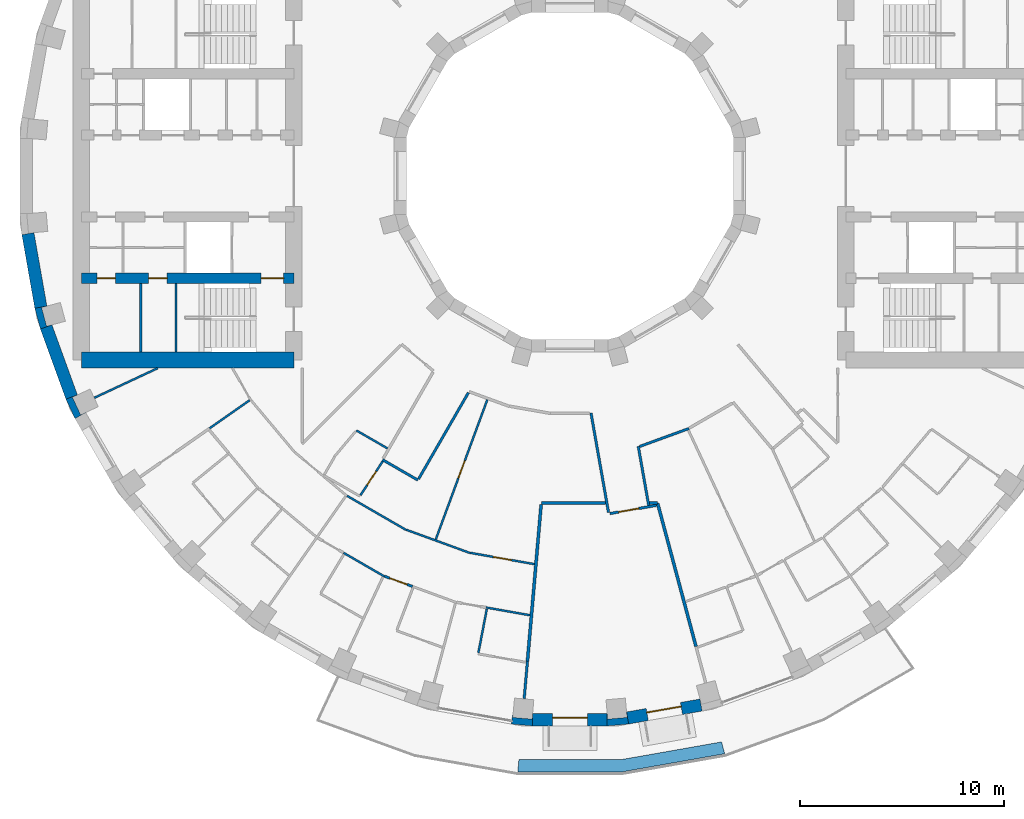
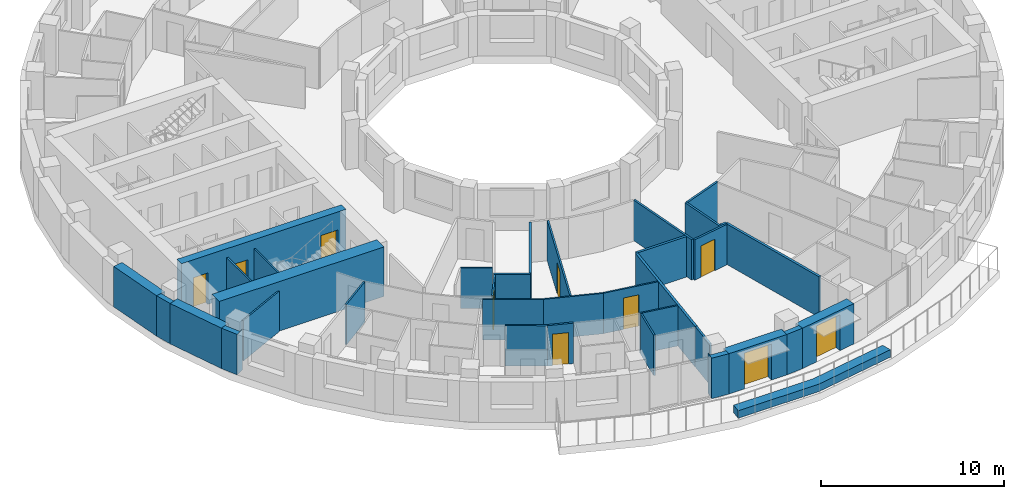
# One storey, part 6 of 16: 36 walls, 10 doors, 10 openings.
"""IFC4 building model written with IfcOpenShell, lengths in metres."""

from ifc_helpers import new_model, si_unit, direction, frame, frame_2d, origin, place, context, subcontext, project, spatial, polyline, rectangle, outline, extrude, material, layer, layer_set, type_object, element, fill, save


model = new_model("IFC4")

# Units and contexts
model_context = context("Model", 3, precision=1e-05, world=origin(), true_north=direction((0.0, 1.0)))
body_context = subcontext(model_context, "Body", "Model", "MODEL_VIEW")
ifc_project = project(units=[si_unit("LENGTHUNIT", "METRE"), si_unit("AREAUNIT", "SQUARE_METRE"), si_unit("VOLUMEUNIT", "CUBIC_METRE"), si_unit("PLANEANGLEUNIT", "RADIAN"), si_unit("MASSUNIT", "GRAM", prefix="KILO")], contexts=[model_context])

# Site, building, storey
site_placement = place(None, origin())
site = spatial("IfcSite", under=ifc_project, at=site_placement, CompositionType="ELEMENT")
building_placement = place(site_placement, origin())
building = spatial("IfcBuilding", under=site, at=building_placement, Name="Saqina Gate Tower", CompositionType="ELEMENT")
storey_placement = place(building_placement, frame((0.0, 0.0, 148.0)))
storey = spatial("IfcBuildingStorey", under=building, at=storey_placement, Name="L42", CompositionType="ELEMENT", Elevation=148.0)

# Walls
ifc_material_1 = material(Name="Brick masonry (buff)", Category="masonry")
wall_type_1 = type_object("IfcWallType", Name="BRICK PIER COPING BUFF", PredefinedType="SOLIDWALL", material=ifc_material_1)
wall_1_placement = place(storey_placement, origin())
element("IfcWall", 1, at=wall_1_placement, inside=storey, type_object=wall_type_1, Name="Pier cap L42 column 20", PredefinedType="SOLIDWALL", context=body_context, shape_type="SweptSolid", body=[
    extrude(outline(polyline([(-26.171875, -6.466796875), (-25.89892578125, -7.485595703125), (-25.335205078125, -7.2802734375), (-25.5947265625, -7.349853515625), (-25.8408203125, -6.43212890625), (-25.5810546875, -6.36279296875), (-26.171875, -6.466796875)])), origin(), (0.0, 0.0, 1.0), 2.699951171875),
])
wall_2_placement = place(storey_placement, origin())
element("IfcWall", 2, at=wall_2_placement, inside=storey, type_object=wall_type_1, Name="Pier cap L42 column 21", PredefinedType="SOLIDWALL", context=body_context, shape_type="SweptSolid", body=[
    extrude(outline(polyline([(-24.6513671875, -10.913330078125), (-24.205810546875, -11.869140625), (-23.68603515625, -11.569091796875), (-23.9296875, -11.6826171875), (-24.331298828125, -10.82177734375), (-24.08740234375, -10.7080078125), (-24.6513671875, -10.913330078125)])), origin(), (0.0, 0.0, 1.0), 2.699951171875),
])
wall_3_placement = place(storey_placement, origin())
element("IfcWall", 3, at=wall_3_placement, inside=storey, type_object=wall_type_1, Name="Pier cap L42 column 27", PredefinedType="SOLIDWALL", context=body_context, shape_type="SweptSolid", body=[
    extrude(outline(polyline([(-2.87451171875, -26.805419921875), (-1.823974609375, -26.897216796875), (-1.823974609375, -26.29736328125), (-1.847412109375, -26.565185546875), (-2.793701171875, -26.482421875), (-2.770263671875, -26.214599609375), (-2.87451171875, -26.805419921875)])), origin(), (0.0, 0.0, 1.0), 2.699951171875),
])
wall_4_placement = place(storey_placement, origin())
element("IfcWall", 4, at=wall_4_placement, inside=storey, type_object=wall_type_1, Name="Pier cap L42 column 28", PredefinedType="SOLIDWALL", context=body_context, shape_type="SweptSolid", body=[
    extrude(outline(polyline([(2.87451171875, -26.805419921875), (2.770263671875, -26.214599609375), (2.793701171875, -26.482421875), (1.847412109375, -26.565185546875), (1.823974609375, -26.29736328125), (1.823974609375, -26.897216796875), (2.87451171875, -26.805419921875)])), origin(), (0.0, 0.0, 1.0), 2.699951171875),
])
ifc_material_2 = material(Name="Gypsum board on steel studs", Category="steel")
ifc_layer_1 = layer(ifc_material_2, 0.10009765625)
ifc_layer_set_1 = layer_set([ifc_layer_1], Name="CORE PARTITION")
wall_type_2 = type_object("IfcWallType", Name="CORE PARTITION", PredefinedType="PARTITIONING", material=ifc_layer_set_1)
wall_5_placement = place(storey_placement, frame((-20.991943359375, -8.60009765625, 0.0), z_axis=(0.0, 0.0, 1.0), x_axis=(0.0, 1.0, 0.0)))
element("IfcWall", 5, at=wall_5_placement, inside=storey, type_object=wall_type_2, Name="L42-CP-W16", PredefinedType="PARTITIONING", context=body_context, shape_type="SweptSolid", body=[
    extrude(rectangle(XDim=3.35009765625, YDim=0.10009765625, at=frame_2d((1.675048828125, 0.0))), origin(), (0.0, 0.0, 1.0), 2.699951171875),
])

# Wall, opening, door
ifc_material_3 = material(Name="Brick masonry (buff)", Category="masonry")
ifc_layer_2 = layer(ifc_material_3, 0.60009765625)
ifc_layer_set_2 = layer_set([ifc_layer_2], Name="FW-BRICK-BUFF")
wall_type_3 = type_object("IfcWallType", Name="FW-BRICK-BUFF", PredefinedType="SOLIDWALL", material=ifc_layer_set_2)
wall_6_placement = place(storey_placement, frame((-1.823974609375, -26.59716796875, 0.0), z_axis=(0.0, 0.0, 1.0), x_axis=(1.0, 0.0, 0.0)))
wall_6 = element("IfcWall", 6, at=wall_6_placement, inside=storey, type_object=wall_type_3, Name="Facade wall L42 facet 27", PredefinedType="SOLIDWALL", context=body_context, shape_type="SweptSolid", body=[
    extrude(rectangle(XDim=3.64794921875, YDim=0.60009765625, at=frame_2d((1.823974609375, 0.0))), origin(), (0.0, 0.0, 1.0), 2.699951171875),
])
opening_1_placement = place(wall_6_placement, frame((0.973876953125, 0.0, 0.0)))
opening_1 = element("IfcOpeningElement", 7, at=opening_1_placement, cuts=wall_6, Name="Opening G12-D80", PredefinedType="OPENING", context=body_context, shape_type="SweptSolid", body=[
    extrude(rectangle(XDim=1.699951171875, YDim=2.39990234375, at=frame_2d((0.85009765625, 1.199951171875))), frame((0.0, 0.31201171875, 0.0), z_axis=(0.0, -1.0, 0.0), x_axis=(1.0, 0.0, 0.0)), (0.0, 0.0, 1.0), 0.6240234375),
])
ifc_material_4 = material(Name="Aluminium glazing", Category="aluminium")
door_type_1 = type_object("IfcDoorType", Name="GD-B", OperationType="DOUBLE_DOOR_SINGLE_SWING", PredefinedType="DOOR", material=ifc_material_4)
door_1_placement = place(opening_1_placement, origin())
door_1 = element("IfcDoor", 8, at=door_1_placement, inside=storey, type_object=door_type_1, Name="Terrace door L42 facet 27", OperationType="DOUBLE_DOOR_SINGLE_SWING", OverallHeight=2.39990234375, OverallWidth=1.699951171875, PredefinedType="DOOR", context=body_context, shape_type="SweptSolid", body=[
    extrude(rectangle(XDim=1.699951171875, YDim=2.39990234375, at=frame_2d((0.85009765625, 1.199951171875))), frame((0.0, 0.125, 0.0), z_axis=(0.0, -1.0, 0.0), x_axis=(1.0, 0.0, 0.0)), (0.0, 0.0, 1.0), 0.050048828125),
])
fill(opening_1, door_1)

wall_7_placement = place(storey_placement, frame((2.822265625, -26.510009765625, 0.0), z_axis=(0.0, 0.0, 1.0), x_axis=(0.984803764455, 0.173670796382, 0.0)))
wall_7 = element("IfcWall", 9, at=wall_7_placement, inside=storey, type_object=wall_type_3, Name="Facade wall L42 facet 28", PredefinedType="SOLIDWALL", context=body_context, shape_type="SweptSolid", body=[
    extrude(rectangle(XDim=3.64794921875, YDim=0.60009765625, at=frame_2d((1.823974609375, 0.0))), origin(), (0.0, 0.0, 1.0), 2.699951171875),
])
opening_2_placement = place(wall_7_placement, frame((0.973876953125, 0.0, 0.0)))
opening_2 = element("IfcOpeningElement", 10, at=opening_2_placement, cuts=wall_7, Name="Opening G12-D81", PredefinedType="OPENING", context=body_context, shape_type="SweptSolid", body=[
    extrude(rectangle(XDim=1.699951171875, YDim=2.39990234375, at=frame_2d((0.85009765625, 1.199951171875))), frame((0.0, 0.31201171875, 0.0), z_axis=(0.0, -1.0, 0.0), x_axis=(1.0, 0.0, 0.0)), (0.0, 0.0, 1.0), 0.6240234375),
])
door_2_placement = place(opening_2_placement, origin())
door_2 = element("IfcDoor", 11, at=door_2_placement, inside=storey, type_object=door_type_1, Name="Terrace door L42 facet 28", OperationType="DOUBLE_DOOR_SINGLE_SWING", OverallHeight=2.39990234375, OverallWidth=1.699951171875, PredefinedType="DOOR", context=body_context, shape_type="SweptSolid", body=[
    extrude(rectangle(XDim=1.699951171875, YDim=2.39990234375, at=frame_2d((0.85009765625, 1.199951171875))), frame((0.0, 0.125, 0.0), z_axis=(0.0, -1.0, 0.0), x_axis=(1.0, 0.0, 0.0)), (0.0, 0.0, 1.0), 0.050048828125),
])
fill(opening_2, door_2)

# Walls
ifc_material_5 = material(Name="Glazed ceramic tile", Category="ceramic")
ifc_layer_3 = layer(ifc_material_5, 0.60009765625)
ifc_layer_set_3 = layer_set([ifc_layer_3], Name="FW-TILE")
wall_type_4 = type_object("IfcWallType", Name="FW-TILE", PredefinedType="SOLIDWALL", material=ifc_layer_set_3)
wall_8_placement = place(storey_placement, frame((-26.510009765625, -2.822265625, 0.0), z_axis=(0.0, 0.0, 1.0), x_axis=(0.173670796382, -0.984803764455, 0.0)))
element("IfcWall", 12, at=wall_8_placement, inside=storey, type_object=wall_type_4, Name="Facade wall L42 facet 19", PredefinedType="SOLIDWALL", context=body_context, shape_type="SweptSolid", body=[
    extrude(rectangle(XDim=3.64794921875, YDim=0.60009765625, at=frame_2d((1.823974609375, 0.0))), origin(), (0.0, 0.0, 1.0), 2.699951171875),
])
ifc_material_6 = material(Name="Glazed ceramic tile (dark blue)", Category="ceramic")
ifc_layer_4 = layer(ifc_material_6, 0.60009765625)
ifc_layer_set_4 = layer_set([ifc_layer_4], Name="FW-TILE-CB")
wall_type_5 = type_object("IfcWallType", Name="FW-TILE-CB", PredefinedType="SOLIDWALL", material=ifc_layer_set_4)
wall_9_placement = place(storey_placement, frame((-25.616943359375, -7.3828125, 0.0), z_axis=(0.0, 0.0, 1.0), x_axis=(0.341990236633, -0.939703505393, 0.0)))
element("IfcWall", 13, at=wall_9_placement, inside=storey, type_object=wall_type_5, Name="Facade wall L42 facet 20", PredefinedType="SOLIDWALL", context=body_context, shape_type="SweptSolid", body=[
    extrude(rectangle(XDim=3.64794921875, YDim=0.60009765625, at=frame_2d((1.823974609375, 0.0))), origin(), (0.0, 0.0, 1.0), 2.699951171875),
])
ifc_material_7 = material(Name="Gypsum board on steel studs, 100 mm", Category="steel")
ifc_layer_5 = layer(ifc_material_7, 0.10009765625)
ifc_layer_set_5 = layer_set([ifc_layer_5], Name="PARTITION 100")
wall_type_6 = type_object("IfcWallType", Name="PARTITION 100", PredefinedType="PARTITIONING", material=ifc_layer_set_5)
wall_10_placement = place(storey_placement, frame((-11.072021484375, -18.4296875, 0.0), z_axis=(0.0, 0.0, 1.0), x_axis=(0.865486689549, -0.500931921735, 0.0)))
element("IfcWall", 14, at=wall_10_placement, inside=storey, type_object=wall_type_6, Name="PARTITION PW3-36", PredefinedType="PARTITIONING", context=body_context, shape_type="SweptSolid", body=[
    extrude(rectangle(XDim=2.3056640625, YDim=0.10009765625, at=frame_2d((1.15283203125, 0.0))), origin(), (0.0, 0.0, 1.0), 2.699951171875),
])
wall_11_placement = place(storey_placement, frame((-10.895751953125, -15.64697265625, 0.0), z_axis=(0.0, 0.0, 1.0), x_axis=(0.866052313871, -0.499953387465, 0.0)))
element("IfcWall", 15, at=wall_11_placement, inside=storey, type_object=wall_type_6, Name="PARTITION PW3-38", PredefinedType="PARTITIONING", context=body_context, shape_type="SweptSolid", body=[
    extrude(rectangle(XDim=3.324951171875, YDim=0.10009765625, at=frame_2d((1.66259765625, 0.0))), origin(), (0.0, 0.0, 1.0), 2.699951171875),
])
wall_12_placement = place(storey_placement, frame((-10.443115234375, -12.446044921875, 0.0), z_axis=(0.0, 0.0, 1.0), x_axis=(0.866176339187, -0.499738481041, 0.0)))
element("IfcWall", 16, at=wall_12_placement, inside=storey, type_object=wall_type_6, Name="PARTITION PW3-40", PredefinedType="PARTITIONING", context=body_context, shape_type="SweptSolid", body=[
    extrude(rectangle(XDim=1.75830078125, YDim=0.10009765625, at=frame_2d((0.879150390625, 0.0))), origin(), (0.0, 0.0, 1.0), 2.699951171875),
])
wall_13_placement = place(storey_placement, frame((-8.012939453125, -17.301025390625, 0.0), z_axis=(0.0, 0.0, 1.0), x_axis=(0.939703357515, -0.341990642965, 0.0)))
element("IfcWall", 17, at=wall_13_placement, inside=storey, type_object=wall_type_6, Name="PARTITION PW3-49", PredefinedType="PARTITIONING", context=body_context, shape_type="SweptSolid", body=[
    extrude(rectangle(XDim=3.3251953125, YDim=0.10009765625, at=frame_2d((1.66259765625, 0.0))), origin(), (0.0, 0.0, 1.0), 2.699951171875),
])
wall_14_placement = place(storey_placement, frame((-4.101318359375, -21.105224609375, 0.0), z_axis=(0.0, 0.0, 1.0), x_axis=(0.984793705714, -0.173727825019, 0.0)))
element("IfcWall", 18, at=wall_14_placement, inside=storey, type_object=wall_type_6, Name="PARTITION PW3-54", PredefinedType="PARTITIONING", context=body_context, shape_type="SweptSolid", body=[
    extrude(rectangle(XDim=2.1796875, YDim=0.10009765625, at=frame_2d((1.08984375, 0.0))), origin(), (0.0, 0.0, 1.0), 2.699951171875),
])

# Wall, opening, door
wall_15_placement = place(storey_placement, frame((-4.88671875, -18.4296875, 0.0), z_axis=(0.0, 0.0, 1.0), x_axis=(0.984827318257, -0.173537181071, 0.0)))
wall_15 = element("IfcWall", 19, at=wall_15_placement, inside=storey, type_object=wall_type_6, Name="PARTITION PW3-55", PredefinedType="PARTITIONING", context=body_context, shape_type="SweptSolid", body=[
    extrude(rectangle(XDim=3.19921875, YDim=0.10009765625, at=frame_2d((1.599609375, 0.0))), origin(), (0.0, 0.0, 1.0), 2.699951171875),
])
opening_3_placement = place(wall_15_placement, frame((1.162109375, 0.0, 0.0)))
opening_3 = element("IfcOpeningElement", 20, at=opening_3_placement, cuts=wall_15, Name="Opening G12-D46", PredefinedType="OPENING", context=body_context, shape_type="SweptSolid", body=[
    extrude(rectangle(XDim=0.89990234375, YDim=2.10009765625, at=frame_2d((0.449951171875, 1.050048828125))), frame((0.0, 0.06201171875, 0.0), z_axis=(0.0, -1.0, 0.0), x_axis=(1.0, 0.0, 0.0)), (0.0, 0.0, 1.0), 0.1240234375),
])
ifc_material_8 = material(Name="Timber door leaf, 900 mm", Category="wood")
door_type_2 = type_object("IfcDoorType", Name="DOOR 900 TIMBER", OperationType="SINGLE_SWING_LEFT", PredefinedType="DOOR", material=ifc_material_8)
door_3_placement = place(opening_3_placement, origin())
door_3 = element("IfcDoor", 21, at=door_3_placement, inside=storey, type_object=door_type_2, Name="DOOR G12-D46", OperationType="SINGLE_SWING_RIGHT", OverallHeight=2.10009765625, OverallWidth=0.89990234375, PredefinedType="DOOR", context=body_context, shape_type="SweptSolid", body=[
    extrude(rectangle(XDim=0.89990234375, YDim=2.10009765625, at=frame_2d((0.449951171875, 1.050048828125))), frame((0.0, 0.02490234375, 0.0), z_axis=(0.0, -1.0, 0.0), x_axis=(1.0, 0.0, 0.0)), (0.0, 0.0, 1.0), 0.050048828125),
])
fill(opening_3, door_3)

# Walls
wall_16_placement = place(storey_placement, frame((-23.260009765625, -10.847412109375, 0.0), z_axis=(0.0, 0.0, 1.0), x_axis=(0.906042683175, 0.423186313892, 0.0)))
element("IfcWall", 22, at=wall_16_placement, inside=storey, type_object=wall_type_6, Name="PARTITION PW3-72", PredefinedType="PARTITIONING", context=body_context, shape_type="SweptSolid", body=[
    extrude(rectangle(XDim=3.42041015625, YDim=0.10009765625, at=frame_2d((1.710205078125, 0.0))), origin(), (0.0, 0.0, 1.0), 2.699951171875),
])
wall_17_placement = place(storey_placement, frame((-17.62548828125, -12.341552734375, 0.0), z_axis=(0.0, 0.0, 1.0), x_axis=(0.819246283273, 0.573441825597, 0.0)))
element("IfcWall", 23, at=wall_17_placement, inside=storey, type_object=wall_type_6, Name="PARTITION PW3-77", PredefinedType="PARTITIONING", context=body_context, shape_type="SweptSolid", body=[
    extrude(rectangle(XDim=2.395751953125, YDim=0.10009765625, at=frame_2d((1.19775390625, 0.0))), origin(), (0.0, 0.0, 1.0), 2.699951171875),
])

# Wall, opening, door
wall_18_placement = place(storey_placement, frame((-10.24560546875, -15.6162109375, 0.0), z_axis=(0.0, 0.0, 1.0), x_axis=(0.548583914552, 0.836095502138, 0.0)))
wall_18 = element("IfcWall", 24, at=wall_18_placement, inside=storey, type_object=wall_type_6, Name="PARTITION PW3-99", PredefinedType="PARTITIONING", context=body_context, shape_type="SweptSolid", body=[
    extrude(rectangle(XDim=1.9853515625, YDim=0.10009765625, at=frame_2d((0.99267578125, 0.0))), origin(), (0.0, 0.0, 1.0), 2.699951171875),
])
opening_4_placement = place(wall_18_placement, frame((0.5986328125, 0.0, 0.0)))
opening_4 = element("IfcOpeningElement", 25, at=opening_4_placement, cuts=wall_18, Name="Opening G12-D39", PredefinedType="OPENING", context=body_context, shape_type="SweptSolid", body=[
    extrude(rectangle(XDim=0.800048828125, YDim=2.10009765625, at=frame_2d((0.39990234375, 1.050048828125))), frame((0.0, 0.06201171875, 0.0), z_axis=(0.0, -1.0, 0.0), x_axis=(1.0, 0.0, 0.0)), (0.0, 0.0, 1.0), 0.1240234375),
])
ifc_material_9 = material(Name="Timber door leaf, 800 mm", Category="wood")
door_type_3 = type_object("IfcDoorType", Name="DOOR 800 TIMBER", OperationType="SINGLE_SWING_LEFT", PredefinedType="DOOR", material=ifc_material_9)
door_4_placement = place(opening_4_placement, frame((0.800048828125, 0.0, 0.0), z_axis=(0.0, 0.0, 1.0), x_axis=(-1.0, 0.0, 0.0)))
door_4 = element("IfcDoor", 26, at=door_4_placement, inside=storey, type_object=door_type_3, Name="DOOR G12-D39", OperationType="SINGLE_SWING_LEFT", OverallHeight=2.10009765625, OverallWidth=0.800048828125, PredefinedType="DOOR", context=body_context, shape_type="SweptSolid", body=[
    extrude(rectangle(XDim=0.800048828125, YDim=2.10009765625, at=frame_2d((0.39990234375, 1.050048828125))), frame((0.0, 0.02490234375, 0.0), z_axis=(0.0, -1.0, 0.0), x_axis=(1.0, 0.0, 0.0)), (0.0, 0.0, 1.0), 0.050048828125),
])
fill(opening_4, door_4)

wall_19_placement = place(storey_placement, frame((-6.561767578125, -17.776123046875, 0.0), z_axis=(0.0, 0.0, 1.0), x_axis=(0.346197589544, 0.938161622, 0.0)))
wall_19 = element("IfcWall", 27, at=wall_19_placement, inside=storey, type_object=wall_type_6, Name="PARTITION PW3-109", PredefinedType="PARTITIONING", context=body_context, shape_type="SweptSolid", body=[
    extrude(rectangle(XDim=7.285400390625, YDim=0.10009765625, at=frame_2d((3.642578125, 0.0))), origin(), (0.0, 0.0, 1.0), 2.699951171875),
])
opening_5_placement = place(wall_19_placement, frame((3.2001953125, 0.0, 0.0)))
opening_5 = element("IfcOpeningElement", 28, at=opening_5_placement, cuts=wall_19, Name="Opening G12-D43", PredefinedType="OPENING", context=body_context, shape_type="SweptSolid", body=[
    extrude(rectangle(XDim=0.89990234375, YDim=2.10009765625, at=frame_2d((0.449951171875, 1.050048828125))), frame((0.0, 0.06201171875, 0.0), z_axis=(0.0, -1.0, 0.0), x_axis=(1.0, 0.0, 0.0)), (0.0, 0.0, 1.0), 0.1240234375),
])
door_5_placement = place(opening_5_placement, frame((0.89990234375, 0.0, 0.0), z_axis=(0.0, 0.0, 1.0), x_axis=(-1.0, 0.0, 0.0)))
door_5 = element("IfcDoor", 29, at=door_5_placement, inside=storey, type_object=door_type_2, Name="DOOR G12-D43", OperationType="SINGLE_SWING_LEFT", OverallHeight=2.10009765625, OverallWidth=0.89990234375, PredefinedType="DOOR", context=body_context, shape_type="SweptSolid", body=[
    extrude(rectangle(XDim=0.89990234375, YDim=2.10009765625, at=frame_2d((0.449951171875, 1.050048828125))), frame((0.0, 0.02490234375, 0.0), z_axis=(0.0, -1.0, 0.0), x_axis=(1.0, 0.0, 0.0)), (0.0, 0.0, 1.0), 0.050048828125),
])
fill(opening_5, door_5)

# Walls
wall_20_placement = place(storey_placement, frame((-4.4765625, -23.323974609375, 0.0), z_axis=(0.0, 0.0, 1.0), x_axis=(0.188685986474, 0.982037473067, 0.0)))
element("IfcWall", 30, at=wall_20_placement, inside=storey, type_object=wall_type_6, Name="PARTITION PW3-115", PredefinedType="PARTITIONING", context=body_context, shape_type="SweptSolid", body=[
    extrude(rectangle(XDim=2.18798828125, YDim=0.10009765625, at=frame_2d((1.093994140625, 0.0))), origin(), (0.0, 0.0, 1.0), 2.699951171875),
])
ifc_material_10 = material(Name="Gypsum board on steel studs, 125 mm, fire rated", Category="steel")
ifc_layer_6 = layer(ifc_material_10, 0.125)
ifc_layer_set_6 = layer_set([ifc_layer_6], Name="PARTITION EI 30 125")
wall_type_7 = type_object("IfcWallType", Name="PARTITION EI 30 125", PredefinedType="PARTITIONING", material=ifc_layer_set_6)
wall_21_placement = place(storey_placement, frame((1.031982421875, -11.596923828125, 0.0), z_axis=(0.0, 0.0, 1.0), x_axis=(0.173613257536, -0.984813909735, 0.0)))
element("IfcWall", 31, at=wall_21_placement, inside=storey, type_object=wall_type_7, Name="PARTITION PW1-01", PredefinedType="PARTITIONING", context=body_context, shape_type="SweptSolid", body=[
    extrude(rectangle(XDim=4.937255859375, YDim=0.125, at=frame_2d((2.46875, 0.0))), origin(), (0.0, 0.0, 1.0), 2.699951171875),
])
wall_22_placement = place(storey_placement, frame((3.34375, -13.219970703125, 0.0), z_axis=(0.0, 0.0, 1.0), x_axis=(0.173704731119, -0.984797779438, 0.0)))
element("IfcWall", 32, at=wall_22_placement, inside=storey, type_object=wall_type_7, Name="PARTITION PW1-02", PredefinedType="PARTITIONING", context=body_context, shape_type="SweptSolid", body=[
    extrude(rectangle(XDim=2.9375, YDim=0.125, at=frame_2d((1.46875, 0.0))), origin(), (0.0, 0.0, 1.0), 2.699951171875),
])
wall_23_placement = place(storey_placement, frame((-9.166015625, -13.8759765625, 0.0), z_axis=(0.0, 0.0, 1.0), x_axis=(0.866008543052, -0.500029202507, 0.0)))
element("IfcWall", 33, at=wall_23_placement, inside=storey, type_object=wall_type_7, Name="PARTITION PW1-18", PredefinedType="PARTITIONING", context=body_context, shape_type="SweptSolid", body=[
    extrude(rectangle(XDim=1.998046875, YDim=0.125, at=frame_2d((0.9990234375, 0.0))), origin(), (0.0, 0.0, 1.0), 2.699951171875),
])

# Wall, opening, door
wall_24_placement = place(storey_placement, frame((-9.072998046875, -19.5751953125, 0.0), z_axis=(0.0, 0.0, 1.0), x_axis=(0.939788529673, -0.341756520778, 0.0)))
wall_24 = element("IfcWall", 34, at=wall_24_placement, inside=storey, type_object=wall_type_7, Name="PARTITION PW1-21", PredefinedType="PARTITIONING", context=body_context, shape_type="SweptSolid", body=[
    extrude(rectangle(XDim=1.45654296875, YDim=0.125, at=frame_2d((0.728271484375, 0.0))), origin(), (0.0, 0.0, 1.0), 2.699951171875),
])
opening_6_placement = place(wall_24_placement, frame((0.2783203125, 0.0, 0.0)))
opening_6 = element("IfcOpeningElement", 35, at=opening_6_placement, cuts=wall_24, Name="Opening G12-D42", PredefinedType="OPENING", context=body_context, shape_type="SweptSolid", body=[
    extrude(rectangle(XDim=0.89990234375, YDim=2.10009765625, at=frame_2d((0.449951171875, 1.050048828125))), frame((0.0, 0.074462890625, 0.0), z_axis=(0.0, -1.0, 0.0), x_axis=(1.0, 0.0, 0.0)), (0.0, 0.0, 1.0), 0.14892578125),
])
ifc_material_11 = material(Name="Fire door leaf EI 30, 900 mm")
door_type_4 = type_object("IfcDoorType", Name="DOOR 900 EI 30", OperationType="SINGLE_SWING_LEFT", PredefinedType="DOOR", material=ifc_material_11)
door_6_placement = place(opening_6_placement, origin())
door_6 = element("IfcDoor", 36, at=door_6_placement, inside=storey, type_object=door_type_4, Name="DOOR G12-D42", OperationType="SINGLE_SWING_LEFT", OverallHeight=2.10009765625, OverallWidth=0.89990234375, PredefinedType="DOOR", context=body_context, shape_type="SweptSolid", body=[
    extrude(rectangle(XDim=0.89990234375, YDim=2.10009765625, at=frame_2d((0.449951171875, 1.050048828125))), frame((0.0, 0.02490234375, 0.0), z_axis=(0.0, -1.0, 0.0), x_axis=(1.0, 0.0, 0.0)), (0.0, 0.0, 1.0), 0.050048828125),
])
fill(opening_6, door_6)

wall_25_placement = place(storey_placement, frame((1.95947265625, -16.51025390625, 0.0), z_axis=(0.0, 0.0, 1.0), x_axis=(0.984826011904, 0.173544594492, 0.0)))
wall_25 = element("IfcWall", 37, at=wall_25_placement, inside=storey, type_object=wall_type_7, Name="PARTITION PW1-31", PredefinedType="PARTITIONING", context=body_context, shape_type="SweptSolid", body=[
    extrude(rectangle(XDim=2.314208984375, YDim=0.125, at=frame_2d((1.1572265625, 0.0))), origin(), (0.0, 0.0, 1.0), 2.699951171875),
])
opening_7_placement = place(wall_25_placement, frame((0.437255859375, 0.0, 0.0)))
opening_7 = element("IfcOpeningElement", 38, at=opening_7_placement, cuts=wall_25, Name="Opening G12-D48", PredefinedType="OPENING", context=body_context, shape_type="SweptSolid", body=[
    extrude(rectangle(XDim=1.0, YDim=2.10009765625, at=frame_2d((0.5, 1.050048828125))), frame((0.0, 0.074462890625, 0.0), z_axis=(0.0, -1.0, 0.0), x_axis=(1.0, 0.0, 0.0)), (0.0, 0.0, 1.0), 0.14892578125),
])
ifc_material_12 = material(Name="Fire door leaf EI 30, 1000 mm")
door_type_5 = type_object("IfcDoorType", Name="DOOR 1000 EI 30", OperationType="SINGLE_SWING_LEFT", PredefinedType="DOOR", material=ifc_material_12)
door_7_placement = place(opening_7_placement, origin())
door_7 = element("IfcDoor", 39, at=door_7_placement, inside=storey, type_object=door_type_5, Name="DOOR G12-D48", OperationType="SINGLE_SWING_RIGHT", OverallHeight=2.10009765625, OverallWidth=1.0, PredefinedType="DOOR", context=body_context, shape_type="SweptSolid", body=[
    extrude(rectangle(XDim=1.0, YDim=2.10009765625, at=frame_2d((0.5, 1.050048828125))), frame((0.0, 0.02490234375, 0.0), z_axis=(0.0, -1.0, 0.0), x_axis=(1.0, 0.0, 0.0)), (0.0, 0.0, 1.0), 0.050048828125),
])
fill(opening_7, door_7)

# Walls
wall_26_placement = place(storey_placement, frame((3.4091796875, -13.230224609375, 0.0), z_axis=(0.0, 0.0, 1.0), x_axis=(0.939430059453, 0.34274066493, 0.0)))
element("IfcWall", 40, at=wall_26_placement, inside=storey, type_object=wall_type_7, Name="PARTITION PW1-35", PredefinedType="PARTITIONING", context=body_context, shape_type="SweptSolid", body=[
    extrude(rectangle(XDim=2.573486328125, YDim=0.125, at=frame_2d((1.28662109375, 0.0))), origin(), (0.0, 0.0, 1.0), 2.699951171875),
])
wall_27_placement = place(storey_placement, frame((-7.40283203125, -14.82177734375, 0.0), z_axis=(0.0, 0.0, 1.0), x_axis=(0.500017246033, 0.866015446554, 0.0)))
element("IfcWall", 41, at=wall_27_placement, inside=storey, type_object=wall_type_7, Name="PARTITION PW1-53", PredefinedType="PARTITIONING", context=body_context, shape_type="SweptSolid", body=[
    extrude(rectangle(XDim=4.874755859375, YDim=0.125, at=frame_2d((2.4375, 0.0))), origin(), (0.0, 0.0, 1.0), 2.699951171875),
])
wall_28_placement = place(storey_placement, frame((-2.237060546875, -25.5673828125, 0.0), z_axis=(0.0, 0.0, 1.0), x_axis=(0.087185058121, 0.996192132894, 0.0)))
element("IfcWall", 42, at=wall_28_placement, inside=storey, type_object=wall_type_7, Name="PARTITION PW1-58", PredefinedType="PARTITIONING", context=body_context, shape_type="SweptSolid", body=[
    extrude(rectangle(XDim=1.83984375, YDim=0.125, at=frame_2d((0.919921875, 0.0))), origin(), (0.0, 0.0, 1.0), 2.699951171875),
])
ifc_material_13 = material(Name="Gypsum board on steel studs, 150 mm, fire rated", Category="steel")
ifc_layer_7 = layer(ifc_material_13, 0.14990234375)
ifc_layer_set_7 = layer_set([ifc_layer_7], Name="PARTITION EI 60 150")
wall_type_8 = type_object("IfcWallType", Name="PARTITION EI 60 150", PredefinedType="PARTITIONING", material=ifc_layer_set_7)
wall_29_placement = place(storey_placement, frame((4.28759765625, -16.001953125, 0.0), z_axis=(0.0, 0.0, 1.0), x_axis=(0.25900000819, -0.965877319207, 0.0)))
element("IfcWall", 43, at=wall_29_placement, inside=storey, type_object=wall_type_8, Name="PARTITION PW2-02", PredefinedType="PARTITIONING", context=body_context, shape_type="SweptSolid", body=[
    extrude(rectangle(XDim=7.25927734375, YDim=0.14990234375, at=frame_2d((3.629638671875, 0.0))), origin(), (0.0, 0.0, 1.0), 2.699951171875),
])
wall_30_placement = place(storey_placement, frame((-1.39990234375, -16.0, 0.0), z_axis=(0.0, 0.0, 1.0), x_axis=(1.0, 0.0, 0.0)))
element("IfcWall", 44, at=wall_30_placement, inside=storey, type_object=wall_type_8, Name="PARTITION PW2-03", PredefinedType="PARTITIONING", context=body_context, shape_type="SweptSolid", body=[
    extrude(rectangle(XDim=3.143310546875, YDim=0.14990234375, at=frame_2d((1.57177734375, 0.0))), origin(), (0.0, 0.0, 1.0), 2.699951171875),
])
wall_31_placement = place(storey_placement, frame((3.89892578125, -16.0, 0.0), z_axis=(0.0, 0.0, 1.0), x_axis=(1.0, 0.0, 0.0)))
element("IfcWall", 45, at=wall_31_placement, inside=storey, type_object=wall_type_8, Name="PARTITION PW2-04", PredefinedType="PARTITIONING", context=body_context, shape_type="SweptSolid", body=[
    extrude(rectangle(XDim=0.39599609375, YDim=0.14990234375, at=frame_2d((0.197998046875, 0.0))), origin(), (0.0, 0.0, 1.0), 2.699951171875),
])
wall_32_placement = place(storey_placement, frame((-2.07666015625, -23.734619140625, 0.0), z_axis=(0.0, 0.0, 1.0), x_axis=(0.087062572149, 0.996202845073, 0.0)))
element("IfcWall", 46, at=wall_32_placement, inside=storey, type_object=wall_type_8, Name="PARTITION PW2-05", PredefinedType="PARTITIONING", context=body_context, shape_type="SweptSolid", body=[
    extrude(rectangle(XDim=7.689208984375, YDim=0.14990234375, at=frame_2d((3.8447265625, 0.0))), origin(), (0.0, 0.0, 1.0), 2.699951171875),
])
ifc_material_14 = material(Name="Brick masonry (red)", Category="masonry")
ifc_layer_8 = layer(ifc_material_14, 0.60009765625)
ifc_layer_set_8 = layer_set([ifc_layer_8], Name="PL-PLANTER")
wall_type_9 = type_object("IfcWallType", Name="PL-PLANTER", PredefinedType="PARAPET", material=ifc_layer_set_8)
wall_33_placement = place(storey_placement, origin())
element("IfcWall", 47, at=wall_33_placement, inside=storey, type_object=wall_type_9, Name="Planter L42", PredefinedType="PARAPET", context=body_context, shape_type="SweptSolid", body=[
    extrude(outline(polyline([(-2.550048828125, -29.147216796875), (2.550048828125, -29.147216796875), (7.57275390625, -28.26171875), (7.416748046875, -27.679931640625), (2.49755859375, -28.54736328125), (-2.49755859375, -28.54736328125), (-2.550048828125, -29.147216796875)])), origin(), (0.0, 0.0, 1.0), 0.5),
])
ifc_material_15 = material(Name="Autoclaved aerated concrete block", Category="concrete")
ifc_layer_9 = layer(ifc_material_15, 0.10009765625)
ifc_layer_set_9 = layer_set([ifc_layer_9], Name="STAIR ENCLOSURE WALL")
wall_type_10 = type_object("IfcWallType", Name="STAIR ENCLOSURE WALL", PredefinedType="PARTITIONING", material=ifc_layer_set_9)
wall_34_placement = place(storey_placement, frame((-19.27001953125, -8.60009765625, 0.0), z_axis=(0.0, 0.0, 1.0), x_axis=(0.0, 1.0, 0.0)))
element("IfcWall", 48, at=wall_34_placement, inside=storey, type_object=wall_type_10, Name="L42-CP-W15", PredefinedType="PARTITIONING", context=body_context, shape_type="SweptSolid", body=[
    extrude(rectangle(XDim=3.35009765625, YDim=0.10009765625, at=frame_2d((1.675048828125, 0.0))), origin(), (0.0, 0.0, 1.0), 2.699951171875),
])

# Wall, openings, doors
ifc_material_16 = material(Name="Concrete C70/85", Category="concrete")
ifc_layer_10 = layer(ifc_material_16, 0.5)
ifc_layer_set_10 = layer_set([ifc_layer_10], Name="Concrete C70/85")
wall_type_11 = type_object("IfcWallType", Name="STR-CORE WALL-B-I", PredefinedType="SHEAR", material=ifc_layer_set_10)
wall_35_placement = place(storey_placement, frame((-13.5, -5.0, 0.0), z_axis=(0.0, 0.0, 1.0), x_axis=(-1.0, 0.0, 0.0)))
wall_35 = element("IfcWall", 49, at=wall_35_placement, inside=storey, type_object=wall_type_11, Name="CORE WALL L42 W-X2", PredefinedType="SHEAR", context=body_context, shape_type="SweptSolid", body=[
    extrude(rectangle(XDim=10.39990234375, YDim=0.5, at=frame_2d((5.199951171875, 0.0))), origin(), (0.0, 0.0, 1.0), 3.300048828125),
])
opening_8_placement = place(wall_35_placement, frame((6.2060546875, 0.0, 0.0)))
opening_8 = element("IfcOpeningElement", 50, at=opening_8_placement, cuts=wall_35, Name="Opening G12-D124", PredefinedType="OPENING", context=body_context, shape_type="SweptSolid", body=[
    extrude(rectangle(XDim=0.89990234375, YDim=2.10009765625, at=frame_2d((0.449951171875, 1.050048828125))), frame((0.0, 0.261962890625, 0.0), z_axis=(0.0, -1.0, 0.0), x_axis=(1.0, 0.0, 0.0)), (0.0, 0.0, 1.0), 0.52392578125),
])
opening_9_placement = place(wall_35_placement, frame((8.729248046875, 0.0, 0.0)))
opening_9 = element("IfcOpeningElement", 51, at=opening_9_placement, cuts=wall_35, Name="Opening G12-D125", PredefinedType="OPENING", context=body_context, shape_type="SweptSolid", body=[
    extrude(rectangle(XDim=0.89990234375, YDim=2.10009765625, at=frame_2d((0.449951171875, 1.050048828125))), frame((0.0, 0.261962890625, 0.0), z_axis=(0.0, -1.0, 0.0), x_axis=(1.0, 0.0, 0.0)), (0.0, 0.0, 1.0), 0.52392578125),
])
opening_10_placement = place(wall_35_placement, frame((0.5, 0.0, 0.0)))
opening_10 = element("IfcOpeningElement", 52, at=opening_10_placement, cuts=wall_35, Name="Opening G12-D126", PredefinedType="OPENING", context=body_context, shape_type="SweptSolid", body=[
    extrude(rectangle(XDim=1.10009765625, YDim=2.10009765625, at=frame_2d((0.550048828125, 1.050048828125))), frame((0.0, 0.261962890625, 0.0), z_axis=(0.0, -1.0, 0.0), x_axis=(1.0, 0.0, 0.0)), (0.0, 0.0, 1.0), 0.52392578125),
])
ifc_material_17 = material(Name="Steel", Category="steel")
door_type_6 = type_object("IfcDoorType", Name="FIRE LOBBY DOOR EI 60 WIDE", OperationType="SINGLE_SWING_LEFT", PredefinedType="DOOR", material=ifc_material_17)
door_8_placement = place(opening_10_placement, origin())
door_8 = element("IfcDoor", 53, at=door_8_placement, inside=storey, type_object=door_type_6, Name="L42-CD-W37", OperationType="SINGLE_SWING_LEFT", OverallHeight=2.10009765625, OverallWidth=1.10009765625, PredefinedType="DOOR", context=body_context, shape_type="SweptSolid", body=[
    extrude(rectangle(XDim=1.10009765625, YDim=2.10009765625, at=frame_2d((0.550048828125, 1.050048828125))), frame((0.0, 0.02490234375, 0.0), z_axis=(0.0, -1.0, 0.0), x_axis=(1.0, 0.0, 0.0)), (0.0, 0.0, 1.0), 0.050048828125),
])
fill(opening_10, door_8)
ifc_material_18 = material(Name="Steel-framed fire door leaf, EI 60", Category="steel")
door_type_7 = type_object("IfcDoorType", Name="SERVICE ROOM DOOR 900", OperationType="SINGLE_SWING_LEFT", PredefinedType="DOOR", material=ifc_material_18)
door_9_placement = place(opening_8_placement, origin())
door_9 = element("IfcDoor", 54, at=door_9_placement, inside=storey, type_object=door_type_7, Name="L42-CD-W35", OperationType="SINGLE_SWING_RIGHT", OverallHeight=2.10009765625, OverallWidth=0.89990234375, PredefinedType="DOOR", context=body_context, shape_type="SweptSolid", body=[
    extrude(rectangle(XDim=0.89990234375, YDim=2.10009765625, at=frame_2d((0.449951171875, 1.050048828125))), frame((0.0, 0.02490234375, 0.0), z_axis=(0.0, -1.0, 0.0), x_axis=(1.0, 0.0, 0.0)), (0.0, 0.0, 1.0), 0.050048828125),
])
fill(opening_8, door_9)
door_10_placement = place(opening_9_placement, origin())
door_10 = element("IfcDoor", 55, at=door_10_placement, inside=storey, type_object=door_type_7, Name="L42-CD-W36", OperationType="SINGLE_SWING_RIGHT", OverallHeight=2.10009765625, OverallWidth=0.89990234375, PredefinedType="DOOR", context=body_context, shape_type="SweptSolid", body=[
    extrude(rectangle(XDim=0.89990234375, YDim=2.10009765625, at=frame_2d((0.449951171875, 1.050048828125))), frame((0.0, 0.02490234375, 0.0), z_axis=(0.0, -1.0, 0.0), x_axis=(1.0, 0.0, 0.0)), (0.0, 0.0, 1.0), 0.050048828125),
])
fill(opening_9, door_10)

# Wall
ifc_material_19 = material(Name="Concrete C70/85", Category="concrete")
ifc_layer_11 = layer(ifc_material_19, 0.800048828125)
ifc_layer_set_11 = layer_set([ifc_layer_11], Name="Concrete C70/85")
wall_type_12 = type_object("IfcWallType", Name="STR-CORE WALL-B-O", PredefinedType="SHEAR", material=ifc_layer_set_11)
wall_36_placement = place(storey_placement, frame((-13.5, -9.0, 0.0), z_axis=(0.0, 0.0, 1.0), x_axis=(-1.0, 0.0, 0.0)))
element("IfcWall", 56, at=wall_36_placement, inside=storey, type_object=wall_type_12, Name="CORE WALL L42 W-SE", PredefinedType="SHEAR", context=body_context, shape_type="SweptSolid", body=[
    extrude(rectangle(XDim=10.39990234375, YDim=0.800048828125, at=frame_2d((5.199951171875, 0.0))), origin(), (0.0, 0.0, 1.0), 3.300048828125),
])

save(model, "model.ifc")
